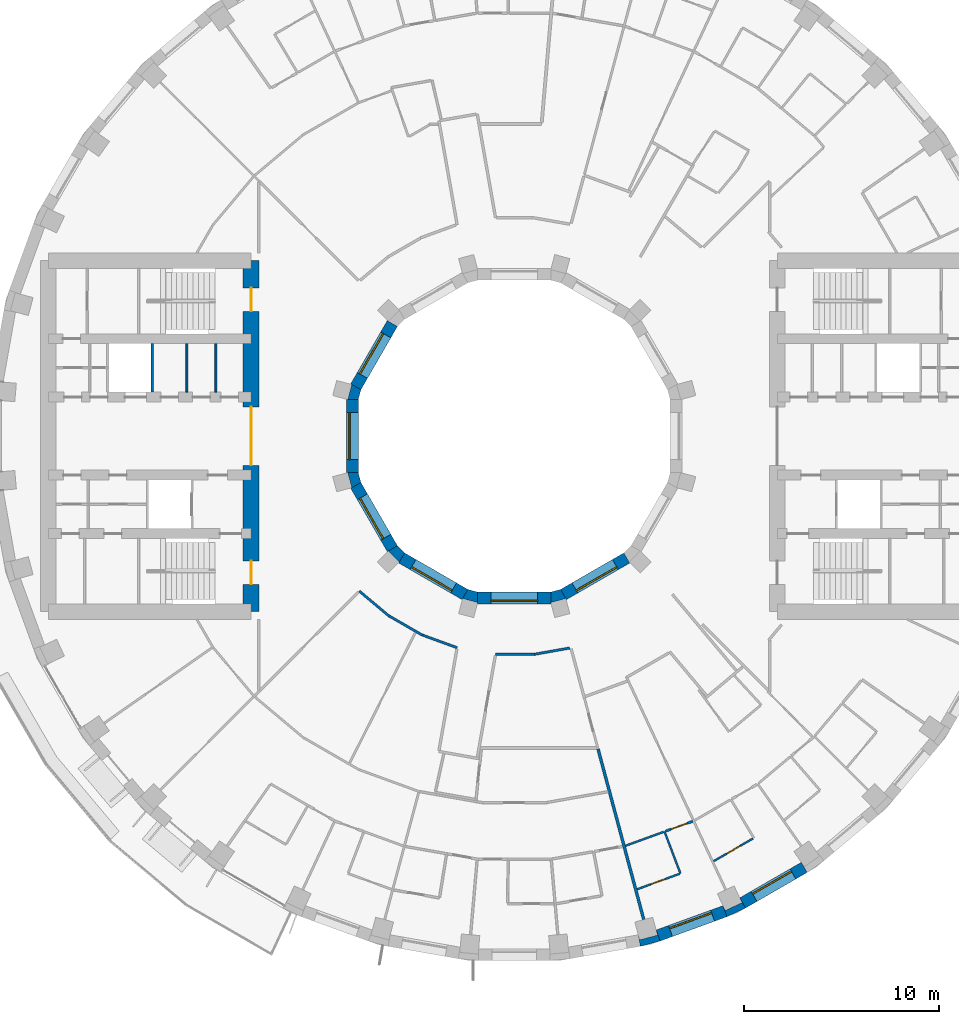
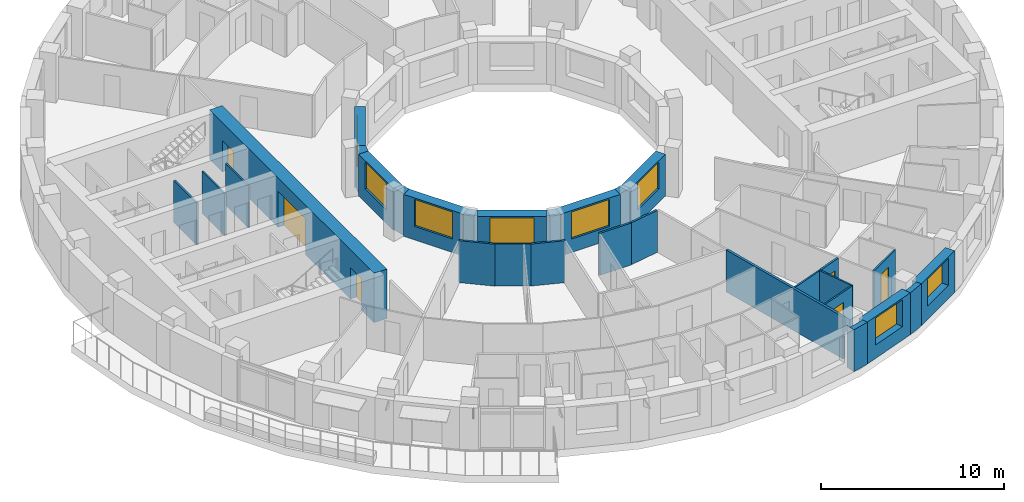
# One storey, part 7 of 16: 30 walls, 8 windows, 6 doors, 14 openings.
"""IFC4 building model written with IfcOpenShell, lengths in metres."""

from ifc_helpers import new_model, si_unit, direction, frame, frame_2d, origin, place, context, subcontext, project, spatial, polyline, rectangle, outline, extrude, material, layer, layer_set, type_object, element, fill, save


model = new_model("IFC4")

# Units and contexts
model_context = context("Model", 3, precision=1e-05, world=origin(), true_north=direction((0.0, 1.0)))
body_context = subcontext(model_context, "Body", "Model", "MODEL_VIEW")
ifc_project = project(units=[si_unit("LENGTHUNIT", "METRE"), si_unit("AREAUNIT", "SQUARE_METRE"), si_unit("VOLUMEUNIT", "CUBIC_METRE"), si_unit("PLANEANGLEUNIT", "RADIAN"), si_unit("MASSUNIT", "GRAM", prefix="KILO")], contexts=[model_context])

# Site, building, storey
site_placement = place(None, origin())
site = spatial("IfcSite", under=ifc_project, at=site_placement, CompositionType="ELEMENT")
building_placement = place(site_placement, origin())
building = spatial("IfcBuilding", under=site, at=building_placement, Name="Saqina Gate Tower", CompositionType="ELEMENT")
storey_placement = place(building_placement, frame((0.0, 0.0, 128.199951171875)))
storey = spatial("IfcBuildingStorey", under=building, at=storey_placement, Name="L36", CompositionType="ELEMENT", Elevation=128.199951171875)

# Walls
ifc_material_1 = material(Name="Brick masonry (buff)", Category="masonry")
wall_type_1 = type_object("IfcWallType", Name="BRICK PIER COPING BUFF", PredefinedType="SOLIDWALL", material=ifc_material_1)
wall_1_placement = place(storey_placement, origin())
element("IfcWall", 1, at=wall_1_placement, inside=storey, type_object=wall_type_1, Name="Pier cap L36 column 29", PredefinedType="SOLIDWALL", context=body_context, shape_type="SweptSolid", body=[
    extrude(outline(polyline([(6.466796875, -26.171875), (7.485595703125, -25.89892578125), (7.2802734375, -25.335205078125), (7.349853515625, -25.5947265625), (6.43212890625, -25.8408203125), (6.36279296875, -25.5810546875), (6.466796875, -26.171875)])), origin(), (0.0, 0.0, 1.0), 2.800048828125),
])
wall_2_placement = place(storey_placement, origin())
element("IfcWall", 2, at=wall_2_placement, inside=storey, type_object=wall_type_1, Name="Pier cap L36 column 30", PredefinedType="SOLIDWALL", context=body_context, shape_type="SweptSolid", body=[
    extrude(outline(polyline([(10.913330078125, -24.6513671875), (11.869140625, -24.205810546875), (11.569091796875, -23.68603515625), (11.6826171875, -23.9296875), (10.82177734375, -24.331298828125), (10.7080078125, -24.08740234375), (10.913330078125, -24.6513671875)])), origin(), (0.0, 0.0, 1.0), 2.800048828125),
])
ifc_material_2 = material(Name="Gypsum board on steel studs", Category="steel")
ifc_layer_1 = layer(ifc_material_2, 0.10009765625)
ifc_layer_set_1 = layer_set([ifc_layer_1], Name="CORE PARTITION")
wall_type_2 = type_object("IfcWallType", Name="CORE PARTITION", PredefinedType="PARTITIONING", material=ifc_layer_set_1)
for number, where, z_axis, x_axis, name in (
    (3, (-15.298095703125, 2.25, 0.0), (0.0, 0.0, 1.0), (0.0, 1.0, 0.0), "L36-CP-W01"),
    (4, (-16.789306640625, 2.25, 0.0), (0.0, 0.0, 1.0), (0.0, 1.0, 0.0), "L36-CP-W02"),
):
    element("IfcWall", number, at=place(storey_placement, frame(where, z_axis=z_axis, x_axis=x_axis)), inside=storey, type_object=wall_type_2, Name=name, PredefinedType="PARTITIONING", context=body_context, shape_type="SweptSolid", body=[
        extrude(rectangle(XDim=2.5, YDim=0.10009765625, at=frame_2d((1.25, 0.0))), origin(), (0.0, 0.0, 1.0), 2.800048828125),
    ])

# Wall, opening, window
ifc_material_3 = material(Name="Brick masonry (buff)", Category="masonry")
ifc_layer_2 = layer(ifc_material_3, 0.60009765625)
ifc_layer_set_2 = layer_set([ifc_layer_2], Name="FW-BRICK-BUFF")
wall_type_3 = type_object("IfcWallType", Name="FW-BRICK-BUFF", PredefinedType="SOLIDWALL", material=ifc_layer_set_2)
wall_3_placement = place(storey_placement, frame((7.3828125, -25.616943359375, 0.0), z_axis=(0.0, 0.0, 1.0), x_axis=(0.939703505393, 0.341990236633, 0.0)))
wall_3 = element("IfcWall", 5, at=wall_3_placement, inside=storey, type_object=wall_type_3, Name="Facade wall L36 facet 29", PredefinedType="SOLIDWALL", context=body_context, shape_type="SweptSolid", body=[
    extrude(rectangle(XDim=3.64794921875, YDim=0.60009765625, at=frame_2d((1.823974609375, 0.0))), origin(), (0.0, 0.0, 1.0), 2.800048828125),
])
opening_1_placement = place(wall_3_placement, frame((0.673828125, 0.0, 0.89990234375)))
opening_1 = element("IfcOpeningElement", 6, at=opening_1_placement, cuts=wall_3, Name="Opening G10-W18", PredefinedType="OPENING", context=body_context, shape_type="SweptSolid", body=[
    extrude(rectangle(XDim=2.300048828125, YDim=1.800048828125, at=frame_2d((1.14990234375, 0.89990234375))), frame((0.0, 0.31201171875, 0.0), z_axis=(0.0, -1.0, 0.0), x_axis=(1.0, 0.0, 0.0)), (0.0, 0.0, 1.0), 0.6240234375),
])
ifc_material_4 = material(Name="Aluminium glazing", Category="aluminium")
window_type_1 = type_object("IfcWindowType", Name="WN-B", PartitioningType="SINGLE_PANEL", PredefinedType="WINDOW", material=ifc_material_4)
window_1_placement = place(opening_1_placement, origin())
window_1 = element("IfcWindow", 7, at=window_1_placement, inside=storey, type_object=window_type_1, Name="Window L36 facet 29", OverallHeight=1.800048828125, OverallWidth=2.300048828125, PartitioningType="SINGLE_PANEL", PredefinedType="WINDOW", context=body_context, shape_type="SweptSolid", body=[
    extrude(rectangle(XDim=2.300048828125, YDim=1.800048828125, at=frame_2d((1.14990234375, 0.89990234375))), frame((0.0, 0.179931640625, 0.0), z_axis=(0.0, -1.0, 0.0), x_axis=(1.0, 0.0, 0.0)), (0.0, 0.0, 1.0), 0.06005859375),
])
fill(opening_1, window_1)

wall_4_placement = place(storey_placement, frame((11.718994140625, -23.94580078125, 0.0), z_axis=(0.0, 0.0, 1.0), x_axis=(0.866051847062, 0.499954196102, 0.0)))
wall_4 = element("IfcWall", 8, at=wall_4_placement, inside=storey, type_object=wall_type_3, Name="Facade wall L36 facet 30", PredefinedType="SOLIDWALL", context=body_context, shape_type="SweptSolid", body=[
    extrude(rectangle(XDim=3.647705078125, YDim=0.60009765625, at=frame_2d((1.82373046875, 0.0))), origin(), (0.0, 0.0, 1.0), 2.800048828125),
])
opening_2_placement = place(wall_4_placement, frame((0.673828125, 0.0, 0.89990234375)))
opening_2 = element("IfcOpeningElement", 9, at=opening_2_placement, cuts=wall_4, Name="Opening G10-W19", PredefinedType="OPENING", context=body_context, shape_type="SweptSolid", body=[
    extrude(rectangle(XDim=2.300048828125, YDim=1.800048828125, at=frame_2d((1.14990234375, 0.89990234375))), frame((0.0, 0.31201171875, 0.0), z_axis=(0.0, -1.0, 0.0), x_axis=(1.0, 0.0, 0.0)), (0.0, 0.0, 1.0), 0.6240234375),
])
window_2_placement = place(opening_2_placement, origin())
window_2 = element("IfcWindow", 10, at=window_2_placement, inside=storey, type_object=window_type_1, Name="Window L36 facet 30", OverallHeight=1.800048828125, OverallWidth=2.300048828125, PartitioningType="SINGLE_PANEL", PredefinedType="WINDOW", context=body_context, shape_type="SweptSolid", body=[
    extrude(rectangle(XDim=2.300048828125, YDim=1.800048828125, at=frame_2d((1.14990234375, 0.89990234375))), frame((0.0, 0.179931640625, 0.0), z_axis=(0.0, -1.0, 0.0), x_axis=(1.0, 0.0, 0.0)), (0.0, 0.0, 1.0), 0.06005859375),
])
fill(opening_2, window_2)

ifc_material_5 = material(Name="Glazed ceramic tile", Category="ceramic")
ifc_layer_3 = layer(ifc_material_5, 0.60009765625)
ifc_layer_set_3 = layer_set([ifc_layer_3], Name="IW-TILE")
wall_type_4 = type_object("IfcWallType", Name="IW-TILE", PredefinedType="SOLIDWALL", material=ifc_layer_set_3)
wall_5_placement = place(storey_placement, frame((-6.251220703125, 5.772705078125, 0.0), z_axis=(0.0, 0.0, 1.0), x_axis=(-0.499964958637, -0.86604563398, 0.0)))
wall_5 = element("IfcWall", 11, at=wall_5_placement, inside=storey, type_object=wall_type_4, Name="Well wall L36 facet 5", PredefinedType="SOLIDWALL", context=body_context, shape_type="SweptSolid", body=[
    extrude(rectangle(XDim=3.747314453125, YDim=0.60009765625, at=frame_2d((1.87353515625, 0.0))), origin(), (0.0, 0.0, 1.0), 2.800048828125),
])
opening_3_placement = place(wall_5_placement, frame((0.673583984375, 0.0, 0.89990234375)))
opening_3 = element("IfcOpeningElement", 12, at=opening_3_placement, cuts=wall_5, Name="Opening G10-W27", PredefinedType="OPENING", context=body_context, shape_type="SweptSolid", body=[
    extrude(rectangle(XDim=2.39990234375, YDim=1.800048828125, at=frame_2d((1.199951171875, 0.89990234375))), frame((0.0, 0.31201171875, 0.0), z_axis=(0.0, -1.0, 0.0), x_axis=(1.0, 0.0, 0.0)), (0.0, 0.0, 1.0), 0.6240234375),
])
ifc_material_6 = material(Name="Aluminium glazing", Category="aluminium")
window_type_2 = type_object("IfcWindowType", Name="WN-W", PartitioningType="SINGLE_PANEL", PredefinedType="WINDOW", material=ifc_material_6)
window_3_placement = place(opening_3_placement, origin())
window_3 = element("IfcWindow", 13, at=window_3_placement, inside=storey, type_object=window_type_2, Name="Well window L36 facet 5", OverallHeight=1.800048828125, OverallWidth=2.39990234375, PartitioningType="SINGLE_PANEL", PredefinedType="WINDOW", context=body_context, shape_type="SweptSolid", body=[
    extrude(rectangle(XDim=2.39990234375, YDim=1.800048828125, at=frame_2d((1.199951171875, 0.89990234375))), frame((0.0, -0.119873046875, 0.0), z_axis=(0.0, -1.0, 0.0), x_axis=(1.0, 0.0, 0.0)), (0.0, 0.0, 1.0), 0.06005859375),
])
fill(opening_3, window_3)

wall_6_placement = place(storey_placement, frame((-8.300048828125, 1.873779296875, 0.0), z_axis=(0.0, 0.0, 1.0), x_axis=(0.0, -1.0, 0.0)))
wall_6 = element("IfcWall", 14, at=wall_6_placement, inside=storey, type_object=wall_type_4, Name="Well wall L36 facet 6", PredefinedType="SOLIDWALL", context=body_context, shape_type="SweptSolid", body=[
    extrude(rectangle(XDim=3.74755859375, YDim=0.60009765625, at=frame_2d((1.873779296875, 0.0))), origin(), (0.0, 0.0, 1.0), 2.800048828125),
])
opening_4_placement = place(wall_6_placement, frame((0.673583984375, 0.0, 0.89990234375)))
opening_4 = element("IfcOpeningElement", 15, at=opening_4_placement, cuts=wall_6, Name="Opening G10-W28", PredefinedType="OPENING", context=body_context, shape_type="SweptSolid", body=[
    extrude(rectangle(XDim=2.39990234375, YDim=1.800048828125, at=frame_2d((1.199951171875, 0.89990234375))), frame((0.0, 0.31201171875, 0.0), z_axis=(0.0, -1.0, 0.0), x_axis=(1.0, 0.0, 0.0)), (0.0, 0.0, 1.0), 0.6240234375),
])
window_4_placement = place(opening_4_placement, origin())
window_4 = element("IfcWindow", 16, at=window_4_placement, inside=storey, type_object=window_type_2, Name="Well window L36 facet 6", OverallHeight=1.800048828125, OverallWidth=2.39990234375, PartitioningType="SINGLE_PANEL", PredefinedType="WINDOW", context=body_context, shape_type="SweptSolid", body=[
    extrude(rectangle(XDim=2.39990234375, YDim=1.800048828125, at=frame_2d((1.199951171875, 0.89990234375))), frame((0.0, -0.119873046875, 0.0), z_axis=(0.0, -1.0, 0.0), x_axis=(1.0, 0.0, 0.0)), (0.0, 0.0, 1.0), 0.06005859375),
])
fill(opening_4, window_4)

wall_7_placement = place(storey_placement, frame((-8.124755859375, -2.52734375, 0.0), z_axis=(0.0, 0.0, 1.0), x_axis=(0.499964958637, -0.86604563398, 0.0)))
wall_7 = element("IfcWall", 17, at=wall_7_placement, inside=storey, type_object=wall_type_4, Name="Well wall L36 facet 7", PredefinedType="SOLIDWALL", context=body_context, shape_type="SweptSolid", body=[
    extrude(rectangle(XDim=3.747314453125, YDim=0.60009765625, at=frame_2d((1.87353515625, 0.0))), origin(), (0.0, 0.0, 1.0), 2.800048828125),
])
opening_5_placement = place(wall_7_placement, frame((0.673583984375, 0.0, 0.89990234375)))
opening_5 = element("IfcOpeningElement", 18, at=opening_5_placement, cuts=wall_7, Name="Opening G10-W29", PredefinedType="OPENING", context=body_context, shape_type="SweptSolid", body=[
    extrude(rectangle(XDim=2.39990234375, YDim=1.800048828125, at=frame_2d((1.199951171875, 0.89990234375))), frame((0.0, 0.31201171875, 0.0), z_axis=(0.0, -1.0, 0.0), x_axis=(1.0, 0.0, 0.0)), (0.0, 0.0, 1.0), 0.6240234375),
])
window_5_placement = place(opening_5_placement, origin())
window_5 = element("IfcWindow", 19, at=window_5_placement, inside=storey, type_object=window_type_2, Name="Well window L36 facet 7", OverallHeight=1.800048828125, OverallWidth=2.39990234375, PartitioningType="SINGLE_PANEL", PredefinedType="WINDOW", context=body_context, shape_type="SweptSolid", body=[
    extrude(rectangle(XDim=2.39990234375, YDim=1.800048828125, at=frame_2d((1.199951171875, 0.89990234375))), frame((0.0, -0.119873046875, 0.0), z_axis=(0.0, -1.0, 0.0), x_axis=(1.0, 0.0, 0.0)), (0.0, 0.0, 1.0), 0.06005859375),
])
fill(opening_5, window_5)

wall_8_placement = place(storey_placement, frame((-5.772705078125, -6.251220703125, 0.0), z_axis=(0.0, 0.0, 1.0), x_axis=(0.86604563398, -0.499964958637, 0.0)))
wall_8 = element("IfcWall", 20, at=wall_8_placement, inside=storey, type_object=wall_type_4, Name="Well wall L36 facet 8", PredefinedType="SOLIDWALL", context=body_context, shape_type="SweptSolid", body=[
    extrude(rectangle(XDim=3.747314453125, YDim=0.60009765625, at=frame_2d((1.87353515625, 0.0))), origin(), (0.0, 0.0, 1.0), 2.800048828125),
])
opening_6_placement = place(wall_8_placement, frame((0.673583984375, 0.0, 0.89990234375)))
opening_6 = element("IfcOpeningElement", 21, at=opening_6_placement, cuts=wall_8, Name="Opening G10-W30", PredefinedType="OPENING", context=body_context, shape_type="SweptSolid", body=[
    extrude(rectangle(XDim=2.39990234375, YDim=1.800048828125, at=frame_2d((1.199951171875, 0.89990234375))), frame((0.0, 0.31201171875, 0.0), z_axis=(0.0, -1.0, 0.0), x_axis=(1.0, 0.0, 0.0)), (0.0, 0.0, 1.0), 0.6240234375),
])
window_6_placement = place(opening_6_placement, origin())
window_6 = element("IfcWindow", 22, at=window_6_placement, inside=storey, type_object=window_type_2, Name="Well window L36 facet 8", OverallHeight=1.800048828125, OverallWidth=2.39990234375, PartitioningType="SINGLE_PANEL", PredefinedType="WINDOW", context=body_context, shape_type="SweptSolid", body=[
    extrude(rectangle(XDim=2.39990234375, YDim=1.800048828125, at=frame_2d((1.199951171875, 0.89990234375))), frame((0.0, -0.119873046875, 0.0), z_axis=(0.0, -1.0, 0.0), x_axis=(1.0, 0.0, 0.0)), (0.0, 0.0, 1.0), 0.06005859375),
])
fill(opening_6, window_6)

wall_9_placement = place(storey_placement, frame((-1.873779296875, -8.300048828125, 0.0), z_axis=(0.0, 0.0, 1.0), x_axis=(1.0, 0.0, 0.0)))
wall_9 = element("IfcWall", 23, at=wall_9_placement, inside=storey, type_object=wall_type_4, Name="Well wall L36 facet 9", PredefinedType="SOLIDWALL", context=body_context, shape_type="SweptSolid", body=[
    extrude(rectangle(XDim=3.74755859375, YDim=0.60009765625, at=frame_2d((1.873779296875, 0.0))), origin(), (0.0, 0.0, 1.0), 2.800048828125),
])
opening_7_placement = place(wall_9_placement, frame((0.673583984375, 0.0, 0.89990234375)))
opening_7 = element("IfcOpeningElement", 24, at=opening_7_placement, cuts=wall_9, Name="Opening G10-W31", PredefinedType="OPENING", context=body_context, shape_type="SweptSolid", body=[
    extrude(rectangle(XDim=2.39990234375, YDim=1.800048828125, at=frame_2d((1.199951171875, 0.89990234375))), frame((0.0, 0.31201171875, 0.0), z_axis=(0.0, -1.0, 0.0), x_axis=(1.0, 0.0, 0.0)), (0.0, 0.0, 1.0), 0.6240234375),
])
window_7_placement = place(opening_7_placement, origin())
window_7 = element("IfcWindow", 25, at=window_7_placement, inside=storey, type_object=window_type_2, Name="Well window L36 facet 9", OverallHeight=1.800048828125, OverallWidth=2.39990234375, PartitioningType="SINGLE_PANEL", PredefinedType="WINDOW", context=body_context, shape_type="SweptSolid", body=[
    extrude(rectangle(XDim=2.39990234375, YDim=1.800048828125, at=frame_2d((1.199951171875, 0.89990234375))), frame((0.0, -0.119873046875, 0.0), z_axis=(0.0, -1.0, 0.0), x_axis=(1.0, 0.0, 0.0)), (0.0, 0.0, 1.0), 0.06005859375),
])
fill(opening_7, window_7)

wall_10_placement = place(storey_placement, frame((2.52734375, -8.124755859375, 0.0), z_axis=(0.0, 0.0, 1.0), x_axis=(0.86604563398, 0.499964958637, 0.0)))
wall_10 = element("IfcWall", 26, at=wall_10_placement, inside=storey, type_object=wall_type_4, Name="Well wall L36 facet 10", PredefinedType="SOLIDWALL", context=body_context, shape_type="SweptSolid", body=[
    extrude(rectangle(XDim=3.747314453125, YDim=0.60009765625, at=frame_2d((1.87353515625, 0.0))), origin(), (0.0, 0.0, 1.0), 2.800048828125),
])
opening_8_placement = place(wall_10_placement, frame((0.673583984375, 0.0, 0.89990234375)))
opening_8 = element("IfcOpeningElement", 27, at=opening_8_placement, cuts=wall_10, Name="Opening G10-W32", PredefinedType="OPENING", context=body_context, shape_type="SweptSolid", body=[
    extrude(rectangle(XDim=2.39990234375, YDim=1.800048828125, at=frame_2d((1.199951171875, 0.89990234375))), frame((0.0, 0.31201171875, 0.0), z_axis=(0.0, -1.0, 0.0), x_axis=(1.0, 0.0, 0.0)), (0.0, 0.0, 1.0), 0.6240234375),
])
window_8_placement = place(opening_8_placement, origin())
window_8 = element("IfcWindow", 28, at=window_8_placement, inside=storey, type_object=window_type_2, Name="Well window L36 facet 10", OverallHeight=1.800048828125, OverallWidth=2.39990234375, PartitioningType="SINGLE_PANEL", PredefinedType="WINDOW", context=body_context, shape_type="SweptSolid", body=[
    extrude(rectangle(XDim=2.39990234375, YDim=1.800048828125, at=frame_2d((1.199951171875, 0.89990234375))), frame((0.0, -0.119873046875, 0.0), z_axis=(0.0, -1.0, 0.0), x_axis=(1.0, 0.0, 0.0)), (0.0, 0.0, 1.0), 0.06005859375),
])
fill(opening_8, window_8)

# Wall
ifc_material_7 = material(Name="Gypsum board on steel studs, 100 mm", Category="steel")
ifc_layer_4 = layer(ifc_material_7, 0.10009765625)
ifc_layer_set_4 = layer_set([ifc_layer_4], Name="PARTITION 100")
wall_type_5 = type_object("IfcWallType", Name="PARTITION 100", PredefinedType="PARTITIONING", material=ifc_layer_set_4)
wall_11_placement = place(storey_placement, frame((7.708984375, -20.283935546875, 0.0), z_axis=(0.0, 0.0, 1.0), x_axis=(0.355156544563, -0.934806840397, 0.0)))
element("IfcWall", 29, at=wall_11_placement, inside=storey, type_object=wall_type_5, Name="PARTITION PW3-11", PredefinedType="PARTITIONING", context=body_context, shape_type="SweptSolid", body=[
    extrude(rectangle(XDim=2.300048828125, YDim=0.10009765625, at=frame_2d((1.14990234375, 0.0))), origin(), (0.0, 0.0, 1.0), 2.800048828125),
])

# Wall, opening, door
wall_12_placement = place(storey_placement, frame((6.305419921875, -23.242431640625, 0.0), z_axis=(0.0, 0.0, 1.0), x_axis=(0.939673181972, 0.342073546307, 0.0)))
wall_12 = element("IfcWall", 30, at=wall_12_placement, inside=storey, type_object=wall_type_5, Name="PARTITION PW3-63", PredefinedType="PARTITIONING", context=body_context, shape_type="SweptSolid", body=[
    extrude(rectangle(XDim=2.313232421875, YDim=0.10009765625, at=frame_2d((1.15673828125, 0.0))), origin(), (0.0, 0.0, 1.0), 2.800048828125),
])
opening_9_placement = place(wall_12_placement, frame((0.743896484375, 0.0, 0.0)))
opening_9 = element("IfcOpeningElement", 31, at=opening_9_placement, cuts=wall_12, Name="Opening G10-D48", PredefinedType="OPENING", context=body_context, shape_type="SweptSolid", body=[
    extrude(rectangle(XDim=0.800048828125, YDim=2.10009765625, at=frame_2d((0.39990234375, 1.050048828125))), frame((0.0, 0.06201171875, 0.0), z_axis=(0.0, -1.0, 0.0), x_axis=(1.0, 0.0, 0.0)), (0.0, 0.0, 1.0), 0.1240234375),
])
ifc_material_8 = material(Name="Timber door leaf, 800 mm", Category="wood")
door_type_1 = type_object("IfcDoorType", Name="DOOR 800 TIMBER", OperationType="SINGLE_SWING_LEFT", PredefinedType="DOOR", material=ifc_material_8)
door_1_placement = place(opening_9_placement, frame((0.800048828125, 0.0, 0.0), z_axis=(0.0, 0.0, 1.0), x_axis=(-1.0, 0.0, 0.0)))
door_1 = element("IfcDoor", 32, at=door_1_placement, inside=storey, type_object=door_type_1, Name="DOOR G10-D48", OperationType="SINGLE_SWING_RIGHT", OverallHeight=2.10009765625, OverallWidth=0.800048828125, PredefinedType="DOOR", context=body_context, shape_type="SweptSolid", body=[
    extrude(rectangle(XDim=0.800048828125, YDim=2.10009765625, at=frame_2d((0.39990234375, 1.050048828125))), frame((0.0, 0.02490234375, 0.0), z_axis=(0.0, -1.0, 0.0), x_axis=(1.0, 0.0, 0.0)), (0.0, 0.0, 1.0), 0.050048828125),
])
fill(opening_9, door_1)

# Wall
wall_13_placement = place(storey_placement, frame((5.70751953125, -21.012451171875, 0.0), z_axis=(0.0, 0.0, 1.0), x_axis=(0.939690572239, 0.342025771609, 0.0)))
element("IfcWall", 33, at=wall_13_placement, inside=storey, type_object=wall_type_5, Name="PARTITION PW3-64", PredefinedType="PARTITIONING", context=body_context, shape_type="SweptSolid", body=[
    extrude(rectangle(XDim=2.080078125, YDim=0.10009765625, at=frame_2d((1.0400390625, 0.0))), origin(), (0.0, 0.0, 1.0), 2.800048828125),
])

# Wall, opening, door
wall_14_placement = place(storey_placement, frame((10.2236328125, -21.806884765625, 0.0), z_axis=(0.0, 0.0, 1.0), x_axis=(0.866076057046, 0.499912255713, 0.0)))
wall_14 = element("IfcWall", 34, at=wall_14_placement, inside=storey, type_object=wall_type_5, Name="PARTITION PW3-69", PredefinedType="PARTITIONING", context=body_context, shape_type="SweptSolid", body=[
    extrude(rectangle(XDim=2.33837890625, YDim=0.10009765625, at=frame_2d((1.169189453125, 0.0))), origin(), (0.0, 0.0, 1.0), 2.800048828125),
])
opening_10_placement = place(wall_14_placement, frame((0.768798828125, 0.0, 0.0)))
opening_10 = element("IfcOpeningElement", 35, at=opening_10_placement, cuts=wall_14, Name="Opening G10-D51", PredefinedType="OPENING", context=body_context, shape_type="SweptSolid", body=[
    extrude(rectangle(XDim=0.800048828125, YDim=2.10009765625, at=frame_2d((0.39990234375, 1.050048828125))), frame((0.0, 0.06201171875, 0.0), z_axis=(0.0, -1.0, 0.0), x_axis=(1.0, 0.0, 0.0)), (0.0, 0.0, 1.0), 0.1240234375),
])
door_2_placement = place(opening_10_placement, frame((0.800048828125, 0.0, 0.0), z_axis=(0.0, 0.0, 1.0), x_axis=(-1.0, 0.0, 0.0)))
door_2 = element("IfcDoor", 36, at=door_2_placement, inside=storey, type_object=door_type_1, Name="DOOR G10-D51", OperationType="SINGLE_SWING_RIGHT", OverallHeight=2.10009765625, OverallWidth=0.800048828125, PredefinedType="DOOR", context=body_context, shape_type="SweptSolid", body=[
    extrude(rectangle(XDim=0.800048828125, YDim=2.10009765625, at=frame_2d((0.39990234375, 1.050048828125))), frame((0.0, 0.02490234375, 0.0), z_axis=(0.0, -1.0, 0.0), x_axis=(1.0, 0.0, 0.0)), (0.0, 0.0, 1.0), 0.050048828125),
])
fill(opening_10, door_2)

# Walls
ifc_material_9 = material(Name="Gypsum board on steel studs, 125 mm, fire rated", Category="steel")
ifc_layer_5 = layer(ifc_material_9, 0.125)
ifc_layer_set_5 = layer_set([ifc_layer_5], Name="PARTITION EI 30 125")
wall_type_6 = type_object("IfcWallType", Name="PARTITION EI 30 125", PredefinedType="PARTITIONING", material=ifc_layer_set_5)
wall_15_placement = place(storey_placement, frame((-7.947998046875, -7.947998046875, 0.0), z_axis=(0.0, 0.0, 1.0), x_axis=(0.765990176891, -0.642852276115, 0.0)))
element("IfcWall", 37, at=wall_15_placement, inside=storey, type_object=wall_type_6, Name="PARTITION PW1-11", PredefinedType="PARTITIONING", context=body_context, shape_type="SweptSolid", body=[
    extrude(rectangle(XDim=2.022216796875, YDim=0.125, at=frame_2d((1.01123046875, 0.0))), origin(), (0.0, 0.0, 1.0), 2.800048828125),
])
wall_16_placement = place(storey_placement, frame((-6.393798828125, -9.2392578125, 0.0), z_axis=(0.0, 0.0, 1.0), x_axis=(0.866328596722, -0.499474486338, 0.0)))
element("IfcWall", 38, at=wall_16_placement, inside=storey, type_object=wall_type_6, Name="PARTITION PW1-16", PredefinedType="PARTITIONING", context=body_context, shape_type="SweptSolid", body=[
    extrude(rectangle(XDim=1.96044921875, YDim=0.125, at=frame_2d((0.980224609375, 0.0))), origin(), (0.0, 0.0, 1.0), 2.800048828125),
])
wall_17_placement = place(storey_placement, frame((-4.6923828125, -10.21044921875, 0.0), z_axis=(0.0, 0.0, 1.0), x_axis=(0.939424480892, -0.342755955019, 0.0)))
element("IfcWall", 39, at=wall_17_placement, inside=storey, type_object=wall_type_6, Name="PARTITION PW1-21", PredefinedType="PARTITIONING", context=body_context, shape_type="SweptSolid", body=[
    extrude(rectangle(XDim=1.876953125, YDim=0.125, at=frame_2d((0.9384765625, 0.0))), origin(), (0.0, 0.0, 1.0), 2.800048828125),
])
wall_18_placement = place(storey_placement, frame((-0.958984375, -11.199951171875, 0.0), z_axis=(0.0, 0.0, 1.0), x_axis=(1.0, 0.0, 0.0)))
element("IfcWall", 40, at=wall_18_placement, inside=storey, type_object=wall_type_6, Name="PARTITION PW1-28", PredefinedType="PARTITIONING", context=body_context, shape_type="SweptSolid", body=[
    extrude(rectangle(XDim=2.00244140625, YDim=0.125, at=frame_2d((1.001220703125, 0.0))), origin(), (0.0, 0.0, 1.0), 2.800048828125),
])
wall_19_placement = place(storey_placement, frame((1.04150390625, -11.189208984375, 0.0), z_axis=(0.0, 0.0, 1.0), x_axis=(0.984772836403, 0.173846083312, 0.0)))
element("IfcWall", 41, at=wall_19_placement, inside=storey, type_object=wall_type_6, Name="PARTITION PW1-32", PredefinedType="PARTITIONING", context=body_context, shape_type="SweptSolid", body=[
    extrude(rectangle(XDim=1.833984375, YDim=0.125, at=frame_2d((0.9169921875, 0.0))), origin(), (0.0, 0.0, 1.0), 2.800048828125),
])

# Wall, opening, door
wall_20_placement = place(storey_placement, frame((7.756103515625, -20.266845703125, 0.0), z_axis=(0.0, 0.0, 1.0), x_axis=(0.939793423488, 0.341743063087, 0.0)))
wall_20 = element("IfcWall", 42, at=wall_20_placement, inside=storey, type_object=wall_type_6, Name="PARTITION PW1-35", PredefinedType="PARTITIONING", context=body_context, shape_type="SweptSolid", body=[
    extrude(rectangle(XDim=1.49169921875, YDim=0.125, at=frame_2d((0.745849609375, 0.0))), origin(), (0.0, 0.0, 1.0), 2.800048828125),
])
opening_11_placement = place(wall_20_placement, frame((0.2958984375, 0.0, 0.0)))
opening_11 = element("IfcOpeningElement", 43, at=opening_11_placement, cuts=wall_20, Name="Opening G10-D49", PredefinedType="OPENING", context=body_context, shape_type="SweptSolid", body=[
    extrude(rectangle(XDim=0.89990234375, YDim=2.10009765625, at=frame_2d((0.449951171875, 1.050048828125))), frame((0.0, 0.074462890625, 0.0), z_axis=(0.0, -1.0, 0.0), x_axis=(1.0, 0.0, 0.0)), (0.0, 0.0, 1.0), 0.14892578125),
])
ifc_material_10 = material(Name="Fire door leaf EI 30, 900 mm")
door_type_2 = type_object("IfcDoorType", Name="DOOR 900 EI 30", OperationType="SINGLE_SWING_LEFT", PredefinedType="DOOR", material=ifc_material_10)
door_3_placement = place(opening_11_placement, origin())
door_3 = element("IfcDoor", 44, at=door_3_placement, inside=storey, type_object=door_type_2, Name="DOOR G10-D49", OperationType="SINGLE_SWING_RIGHT", OverallHeight=2.10009765625, OverallWidth=0.89990234375, PredefinedType="DOOR", context=body_context, shape_type="SweptSolid", body=[
    extrude(rectangle(XDim=0.89990234375, YDim=2.10009765625, at=frame_2d((0.449951171875, 1.050048828125))), frame((0.0, 0.02490234375, 0.0), z_axis=(0.0, -1.0, 0.0), x_axis=(1.0, 0.0, 0.0)), (0.0, 0.0, 1.0), 0.050048828125),
])
fill(opening_11, door_3)

# Walls
ifc_material_11 = material(Name="Gypsum board on steel studs, 150 mm, fire rated", Category="steel")
ifc_layer_6 = layer(ifc_material_11, 0.14990234375)
ifc_layer_set_6 = layer_set([ifc_layer_6], Name="PARTITION EI 60 150")
wall_type_7 = type_object("IfcWallType", Name="PARTITION EI 60 150", PredefinedType="PARTITIONING", material=ifc_layer_set_6)
wall_21_placement = place(storey_placement, frame((4.30029296875, -16.05029296875, 0.0), z_axis=(0.0, 0.0, 1.0), x_axis=(0.25880441681, -0.965929745809, 0.0)))
element("IfcWall", 45, at=wall_21_placement, inside=storey, type_object=wall_type_7, Name="PARTITION PW2-01", PredefinedType="PARTITIONING", context=body_context, shape_type="SweptSolid", body=[
    extrude(rectangle(XDim=9.048583984375, YDim=0.14990234375, at=frame_2d((4.5244140625, 0.0))), origin(), (0.0, 0.0, 1.0), 2.800048828125),
])
ifc_material_12 = material(Name="Autoclaved aerated concrete block", Category="concrete")
ifc_layer_7 = layer(ifc_material_12, 0.1201171875)
ifc_layer_set_7 = layer_set([ifc_layer_7], Name="SHAFT PARTITION")
wall_type_8 = type_object("IfcWallType", Name="SHAFT PARTITION", PredefinedType="PARTITIONING", material=ifc_layer_set_7)
wall_22_placement = place(storey_placement, frame((-18.56005859375, 2.25, 0.0), z_axis=(0.0, 0.0, 1.0), x_axis=(0.0, 1.0, 0.0)))
element("IfcWall", 46, at=wall_22_placement, inside=storey, type_object=wall_type_8, Name="L36-CP-W03", PredefinedType="PARTITIONING", context=body_context, shape_type="SweptSolid", body=[
    extrude(rectangle(XDim=2.5, YDim=0.1201171875, at=frame_2d((1.25, 0.0))), origin(), (0.0, 0.0, 1.0), 2.800048828125),
])

# Wall, openings, doors
ifc_material_13 = material(Name="Concrete C70/85", Category="concrete")
ifc_layer_8 = layer(ifc_material_13, 0.800048828125)
ifc_layer_set_8 = layer_set([ifc_layer_8], Name="Concrete C70/85")
wall_type_9 = type_object("IfcWallType", Name="STR-CORE WALL-B-O", PredefinedType="SHEAR", material=ifc_layer_set_8)
wall_23_placement = place(storey_placement, frame((-13.5, -9.0, 0.0), z_axis=(0.0, 0.0, 1.0), x_axis=(0.0, 1.0, 0.0)))
wall_23 = element("IfcWall", 47, at=wall_23_placement, inside=storey, type_object=wall_type_9, Name="CORE WALL L36 W-W1", PredefinedType="SHEAR", context=body_context, shape_type="SweptSolid", body=[
    extrude(rectangle(XDim=18.0, YDim=0.800048828125, at=frame_2d((9.0, 0.0))), origin(), (0.0, 0.0, 1.0), 3.300048828125),
])
opening_12_placement = place(wall_23_placement, frame((15.39990234375, 0.0, 0.0)))
opening_12 = element("IfcOpeningElement", 48, at=opening_12_placement, cuts=wall_23, Name="Opening G10-D127", PredefinedType="OPENING", context=body_context, shape_type="SweptSolid", body=[
    extrude(rectangle(XDim=1.199951171875, YDim=2.10009765625, at=frame_2d((0.60009765625, 1.050048828125))), frame((0.0, 0.412109375, 0.0), z_axis=(0.0, -1.0, 0.0), x_axis=(1.0, 0.0, 0.0)), (0.0, 0.0, 1.0), 0.823974609375),
])
opening_13_placement = place(wall_23_placement, frame((1.39990234375, 0.0, 0.0)))
opening_13 = element("IfcOpeningElement", 49, at=opening_13_placement, cuts=wall_23, Name="Opening G10-D128", PredefinedType="OPENING", context=body_context, shape_type="SweptSolid", body=[
    extrude(rectangle(XDim=1.199951171875, YDim=2.10009765625, at=frame_2d((0.60009765625, 1.050048828125))), frame((0.0, 0.412109375, 0.0), z_axis=(0.0, -1.0, 0.0), x_axis=(1.0, 0.0, 0.0)), (0.0, 0.0, 1.0), 0.823974609375),
])
opening_14_placement = place(wall_23_placement, frame((7.5, 0.0, 0.0)))
opening_14 = element("IfcOpeningElement", 50, at=opening_14_placement, cuts=wall_23, Name="Opening G10-D129", PredefinedType="OPENING", context=body_context, shape_type="SweptSolid", body=[
    extrude(rectangle(XDim=3.0, YDim=2.39990234375, at=frame_2d((1.5, 1.199951171875))), frame((0.0, 0.412109375, 0.0), z_axis=(0.0, -1.0, 0.0), x_axis=(1.0, 0.0, 0.0)), (0.0, 0.0, 1.0), 0.823974609375),
])
ifc_material_14 = material(Name="Steel", Category="steel")
door_type_3 = type_object("IfcDoorType", Name="FIRE DOOR EI 60", OperationType="SINGLE_SWING_LEFT", PredefinedType="DOOR", material=ifc_material_14)
door_4_placement = place(opening_12_placement, origin())
door_4 = element("IfcDoor", 51, at=door_4_placement, inside=storey, type_object=door_type_3, Name="L36-CD-W38", OperationType="SINGLE_SWING_RIGHT", OverallHeight=2.10009765625, OverallWidth=1.199951171875, PredefinedType="DOOR", context=body_context, shape_type="SweptSolid", body=[
    extrude(rectangle(XDim=1.199951171875, YDim=2.10009765625, at=frame_2d((0.60009765625, 1.050048828125))), frame((0.0, 0.02490234375, 0.0), z_axis=(0.0, -1.0, 0.0), x_axis=(1.0, 0.0, 0.0)), (0.0, 0.0, 1.0), 0.050048828125),
])
fill(opening_12, door_4)
door_5_placement = place(opening_13_placement, origin())
door_5 = element("IfcDoor", 52, at=door_5_placement, inside=storey, type_object=door_type_3, Name="L36-CD-W39", OperationType="SINGLE_SWING_LEFT", OverallHeight=2.10009765625, OverallWidth=1.199951171875, PredefinedType="DOOR", context=body_context, shape_type="SweptSolid", body=[
    extrude(rectangle(XDim=1.199951171875, YDim=2.10009765625, at=frame_2d((0.60009765625, 1.050048828125))), frame((0.0, 0.02490234375, 0.0), z_axis=(0.0, -1.0, 0.0), x_axis=(1.0, 0.0, 0.0)), (0.0, 0.0, 1.0), 0.050048828125),
])
fill(opening_13, door_5)
ifc_material_15 = material(Name="Steel and fire-resisting glass", Category="steel")
door_type_4 = type_object("IfcDoorType", Name="LOBBY SCREEN DOOR", OperationType="DOUBLE_DOOR_SLIDING", PredefinedType="DOOR", material=ifc_material_15)
door_6_placement = place(opening_14_placement, origin())
door_6 = element("IfcDoor", 53, at=door_6_placement, inside=storey, type_object=door_type_4, Name="L36-CD-W40", OperationType="DOUBLE_DOOR_SLIDING", OverallHeight=2.39990234375, OverallWidth=3.0, PredefinedType="DOOR", context=body_context, shape_type="SweptSolid", body=[
    extrude(rectangle(XDim=3.0, YDim=2.39990234375, at=frame_2d((1.5, 1.199951171875))), frame((0.0, 0.02490234375, 0.0), z_axis=(0.0, -1.0, 0.0), x_axis=(1.0, 0.0, 0.0)), (0.0, 0.0, 1.0), 0.050048828125),
])
fill(opening_14, door_6)

# Walls
ifc_material_16 = material(Name="Glazed ceramic tile", Category="ceramic")
wall_type_10 = type_object("IfcWallType", Name="TILE PIER COPING", PredefinedType="SOLIDWALL", material=ifc_material_16)
wall_24_placement = place(storey_placement, origin())
element("IfcWall", 54, at=wall_24_placement, inside=storey, type_object=wall_type_10, Name="Well pier cap L36 column 6", PredefinedType="SOLIDWALL", context=body_context, shape_type="SweptSolid", body=[
    extrude(outline(polyline([(-8.5380859375, 1.873779296875), (-8.0, 1.873779296875), (-7.864990234375, 2.377197265625), (-8.3310546875, 2.646484375), (-8.5380859375, 1.873779296875)])), origin(), (0.0, 0.0, 1.0), 2.800048828125),
])
wall_25_placement = place(storey_placement, origin())
element("IfcWall", 55, at=wall_25_placement, inside=storey, type_object=wall_type_10, Name="Well pier cap L36 column 7", PredefinedType="SOLIDWALL", context=body_context, shape_type="SweptSolid", body=[
    extrude(outline(polyline([(-8.3310546875, -2.646484375), (-7.864990234375, -2.377197265625), (-8.0, -1.873779296875), (-8.5380859375, -1.873779296875), (-8.3310546875, -2.646484375)])), origin(), (0.0, 0.0, 1.0), 2.800048828125),
])
wall_26_placement = place(storey_placement, origin())
element("IfcWall", 56, at=wall_26_placement, inside=storey, type_object=wall_type_10, Name="Well pier cap L36 column 8", PredefinedType="SOLIDWALL", context=body_context, shape_type="SweptSolid", body=[
    extrude(outline(polyline([(-6.45751953125, -5.891845703125), (-5.891845703125, -6.45751953125), (-5.622802734375, -5.991455078125), (-5.991455078125, -5.622802734375), (-6.45751953125, -5.891845703125)])), origin(), (0.0, 0.0, 1.0), 2.800048828125),
])
wall_27_placement = place(storey_placement, origin())
element("IfcWall", 57, at=wall_27_placement, inside=storey, type_object=wall_type_10, Name="Well pier cap L36 column 9", PredefinedType="SOLIDWALL", context=body_context, shape_type="SweptSolid", body=[
    extrude(outline(polyline([(-1.873779296875, -8.5380859375), (-1.873779296875, -8.0), (-2.377197265625, -7.864990234375), (-2.646484375, -8.3310546875), (-1.873779296875, -8.5380859375)])), origin(), (0.0, 0.0, 1.0), 2.800048828125),
])
wall_28_placement = place(storey_placement, origin())
element("IfcWall", 58, at=wall_28_placement, inside=storey, type_object=wall_type_10, Name="Well pier cap L36 column 10", PredefinedType="SOLIDWALL", context=body_context, shape_type="SweptSolid", body=[
    extrude(outline(polyline([(2.646484375, -8.3310546875), (2.377197265625, -7.864990234375), (1.873779296875, -8.0), (1.873779296875, -8.5380859375), (2.646484375, -8.3310546875)])), origin(), (0.0, 0.0, 1.0), 2.800048828125),
])

save(model, "model.ifc")
